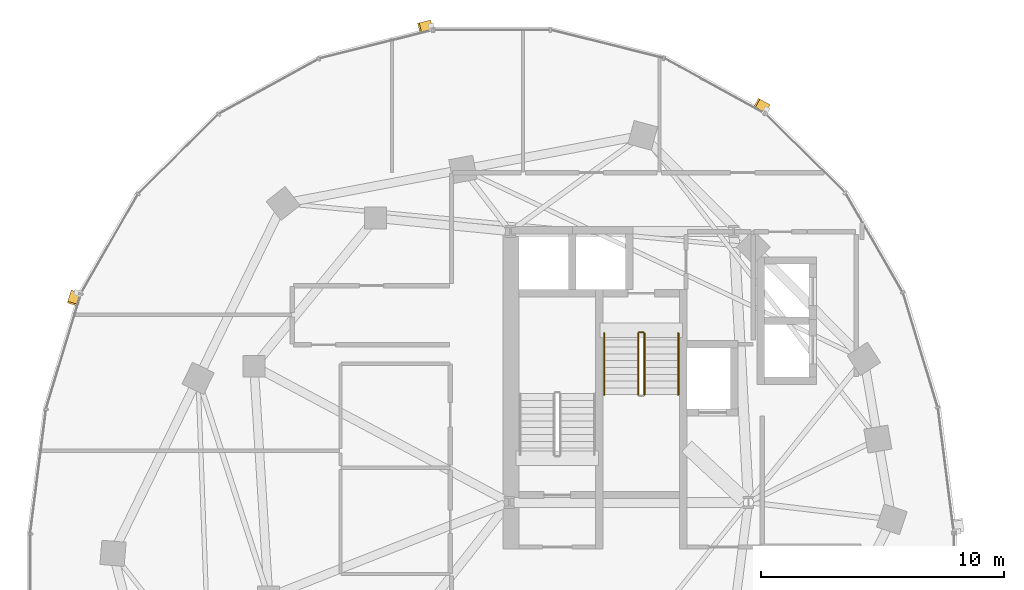
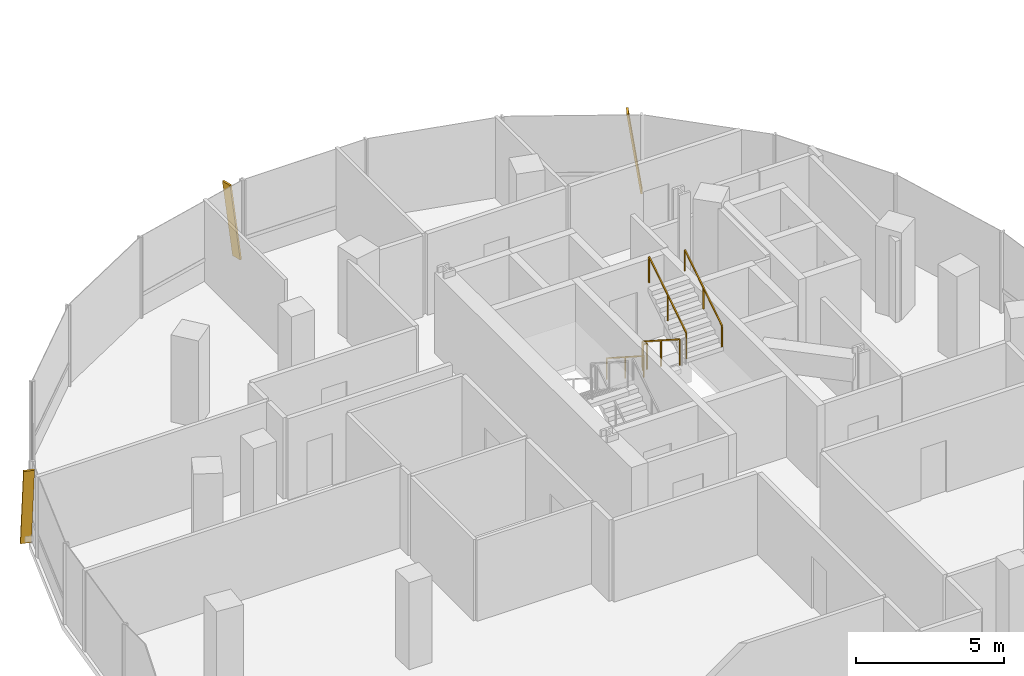
# One storey, part 20 of 22: 5 railings, 3 shading devices.
"""IFC4 building model written with IfcOpenShell, lengths in metres."""

from ifc_helpers import new_model, si_unit, direction, frame, origin, origin_2d, place, context, subcontext, project, spatial, rectangle, extrude, material, material_profile, profile_set, type_object, element, save


model = new_model("IFC4")

# Units and contexts
model_context = context("Model", 3, precision=1e-05, world=origin(), true_north=direction((0.0, 1.0)))
body_context = subcontext(model_context, "Body", "Model", "MODEL_VIEW")
ifc_project = project(units=[si_unit("LENGTHUNIT", "METRE"), si_unit("AREAUNIT", "SQUARE_METRE"), si_unit("VOLUMEUNIT", "CUBIC_METRE"), si_unit("PLANEANGLEUNIT", "RADIAN"), si_unit("MASSUNIT", "GRAM", prefix="KILO"), si_unit("THERMODYNAMICTEMPERATUREUNIT", "KELVIN"), si_unit("POWERUNIT", "WATT")], contexts=[model_context])

# Site, building, storey
site_placement = place(None, origin())
site = spatial("IfcSite", under=ifc_project, at=site_placement, CompositionType="ELEMENT")
building_placement = place(site_placement, origin())
building = spatial("IfcBuilding", under=site, at=building_placement, Name="Cundina Bronze Exchange", CompositionType="ELEMENT")
storey_placement = place(building_placement, frame((0.0, 0.0, 162.0)))
storey = spatial("IfcBuildingStorey", under=building, at=storey_placement, Name="L42", CompositionType="ELEMENT", Elevation=162.0)

# Railings
ifc_material_1 = material(Name="Steel ASTM A36 Painted", Category="steel")
railing_type_1 = type_object("IfcRailingType", Name="RLG-HND-900", PredefinedType="HANDRAIL", material=ifc_material_1)
railing_1_placement = place(storey_placement, frame((-27.389892578125, 10.85009765625, 0.179931640625)))
element("IfcRailing", 1, at=railing_1_placement, inside=storey, type_object=railing_type_1, Name="L42 ST-W2 stair handrail 1", PredefinedType="HANDRAIL", context=body_context, shape_type="SweptSolid", body=[
    extrude(rectangle(XDim=0.048095703125, YDim=0.048095703125, at=origin_2d()), frame((0.0, 0.0, 0.8759765625), z_axis=(0.0, -0.841162588446, 0.540782303519), x_axis=(1.0, 0.0, 0.0)), (0.0, 0.0, 1.0), 2.995849609375),
    extrude(rectangle(XDim=0.0419921875, YDim=0.0419921875, at=origin_2d()), origin(), (0.0, 0.0, 1.0), 0.851806640625),
    extrude(rectangle(XDim=0.0419921875, YDim=0.0419921875, at=origin_2d()), frame((0.0, -1.260009765625, 0.81005859375)), (0.0, 0.0, 1.0), 0.851806640625),
    extrude(rectangle(XDim=0.0419921875, YDim=0.0419921875, at=origin_2d()), frame((0.0, -2.52001953125, 1.6201171875)), (0.0, 0.0, 1.0), 0.851806640625),
])
railing_2_placement = place(storey_placement, frame((-24.330078125, 8.330078125, 1.97998046875)))
element("IfcRailing", 2, at=railing_2_placement, inside=storey, type_object=railing_type_1, Name="L42 ST-W2 stair handrail 2", PredefinedType="HANDRAIL", context=body_context, shape_type="SweptSolid", body=[
    extrude(rectangle(XDim=0.048095703125, YDim=0.048095703125, at=origin_2d()), frame((0.0, 0.0, 0.8759765625), z_axis=(0.0, 0.841162588446, 0.540782303519), x_axis=(-1.0, 0.0, 0.0)), (0.0, 0.0, 1.0), 2.995849609375),
    extrude(rectangle(XDim=0.0419921875, YDim=0.0419921875, at=origin_2d()), origin(), (0.0, 0.0, 1.0), 0.851806640625),
    extrude(rectangle(XDim=0.0419921875, YDim=0.0419921875, at=origin_2d()), frame((0.0, 1.260009765625, 0.81005859375)), (0.0, 0.0, 1.0), 0.851806640625),
    extrude(rectangle(XDim=0.0419921875, YDim=0.0419921875, at=origin_2d()), frame((0.0, 2.52001953125, 1.6201171875)), (0.0, 0.0, 1.0), 0.851806640625),
])
railing_type_2 = type_object("IfcRailingType", Name="RLG-STG-1100", PredefinedType="GUARDRAIL", material=ifc_material_1)
railing_3_placement = place(storey_placement, frame((-25.989990234375, 10.85009765625, 0.179931640625)))
element("IfcRailing", 3, at=railing_3_placement, inside=storey, type_object=railing_type_2, Name="L42 ST-W2 stair guard 1", PredefinedType="GUARDRAIL", context=body_context, shape_type="SweptSolid", body=[
    extrude(rectangle(XDim=0.048095703125, YDim=0.048095703125, at=origin_2d()), frame((0.0, 0.0, 1.076171875), z_axis=(0.0, -0.841162588446, 0.540782303519), x_axis=(1.0, 0.0, 0.0)), (0.0, 0.0, 1.0), 2.995849609375),
    extrude(rectangle(XDim=0.0419921875, YDim=0.0419921875, at=origin_2d()), origin(), (0.0, 0.0, 1.0), 1.052001953125),
    extrude(rectangle(XDim=0.0419921875, YDim=0.0419921875, at=origin_2d()), frame((0.0, -1.260009765625, 0.81005859375)), (0.0, 0.0, 1.0), 1.052001953125),
    extrude(rectangle(XDim=0.0419921875, YDim=0.0419921875, at=origin_2d()), frame((0.0, -2.52001953125, 1.6201171875)), (0.0, 0.0, 1.0), 1.052001953125),
])
railing_4_placement = place(storey_placement, frame((-25.72998046875, 8.330078125, 1.97998046875)))
element("IfcRailing", 4, at=railing_4_placement, inside=storey, type_object=railing_type_2, Name="L42 ST-W2 stair guard 3", PredefinedType="GUARDRAIL", context=body_context, shape_type="SweptSolid", body=[
    extrude(rectangle(XDim=0.048095703125, YDim=0.048095703125, at=origin_2d()), frame((0.0, 0.0, 1.076171875), z_axis=(0.0, 0.841162588446, 0.540782303519), x_axis=(-1.0, 0.0, 0.0)), (0.0, 0.0, 1.0), 2.995849609375),
    extrude(rectangle(XDim=0.0419921875, YDim=0.0419921875, at=origin_2d()), origin(), (0.0, 0.0, 1.0), 1.052001953125),
    extrude(rectangle(XDim=0.0419921875, YDim=0.0419921875, at=origin_2d()), frame((0.0, 1.260009765625, 0.81005859375)), (0.0, 0.0, 1.0), 1.052001953125),
    extrude(rectangle(XDim=0.0419921875, YDim=0.0419921875, at=origin_2d()), frame((0.0, 2.52001953125, 1.6201171875)), (0.0, 0.0, 1.0), 1.052001953125),
])
railing_5_placement = place(storey_placement, frame((-25.93994140625, 10.89990234375, 0.0)))
element("IfcRailing", 5, at=railing_5_placement, inside=storey, type_object=railing_type_2, Name="L42 ST-W2 stair guard 4", PredefinedType="GUARDRAIL", context=body_context, shape_type="SweptSolid", body=[
    extrude(rectangle(XDim=0.048095703125, YDim=0.048095703125, at=origin_2d()), frame((0.0, 0.0, 1.076171875), z_axis=(1.0, 0.0, 0.0), x_axis=(0.0, 1.0, 0.0)), (0.0, 0.0, 1.0), 0.159912109375),
    extrude(rectangle(XDim=0.0419921875, YDim=0.0419921875, at=origin_2d()), origin(), (0.0, 0.0, 1.0), 1.052001953125),
    extrude(rectangle(XDim=0.0419921875, YDim=0.0419921875, at=origin_2d()), frame((0.159912109375, 0.0, 0.0)), (0.0, 0.0, 1.0), 1.052001953125),
])

# Shading devices
ifc_material_2 = material(Name="Anodised Bronze Aluminium 6063-T6", Category="aluminium")
ifc_material_profile = material_profile(ifc_material_2, rectangle(XDim=0.070068359375, YDim=0.3798828125, at=origin_2d()), Name="FIN70X380", Category="aluminium")
ifc_profile_set = profile_set([ifc_material_profile], Name="Anodised Bronze Aluminium 6063-T6")
shading_device_type = type_object("IfcShadingDeviceType", Name="SHD-FIN-BRZ380", PredefinedType="USERDEFINED", material=ifc_profile_set)
for number, where, z_axis, x_axis, name in (
    (6, (-20.679931640625, 20.11181640625, 0.02001953125), (-0.125324460949, 0.068993954111, 0.989713905017), (0.867011652888, -0.477309551067, 0.143060778049), "L42 Diagonal Bronze Solar Fin 5"),
    (7, (-34.51953125, 23.556396484375, 0.02001953125), (-0.138788401144, -0.034715294885, 0.989713407007), (0.960133415413, 0.240159223467, 0.14306422331), "L42 Diagonal Bronze Solar Fin 1"),
    (8, (-49.151123046875, 12.5439453125, 0.02001953125), (-0.041483395017, -0.136967981441, 0.989706471636), (0.286882504107, 0.947215566191, 0.143112193758), "L42 Diagonal Bronze Solar Fin 5"),
):
    element("IfcShadingDevice", number, at=place(storey_placement, frame(where, z_axis=z_axis, x_axis=x_axis)), inside=storey, type_object=shading_device_type, Name=name, ObjectType="FIN", PredefinedType="USERDEFINED", context=body_context, shape_type="SweptSolid", body=[
        extrude(rectangle(XDim=0.070068359375, YDim=0.3798828125, at=origin_2d()), origin(), (0.0, 0.0, 1.0), 3.3544921875),
    ])

save(model, "model.ifc")
